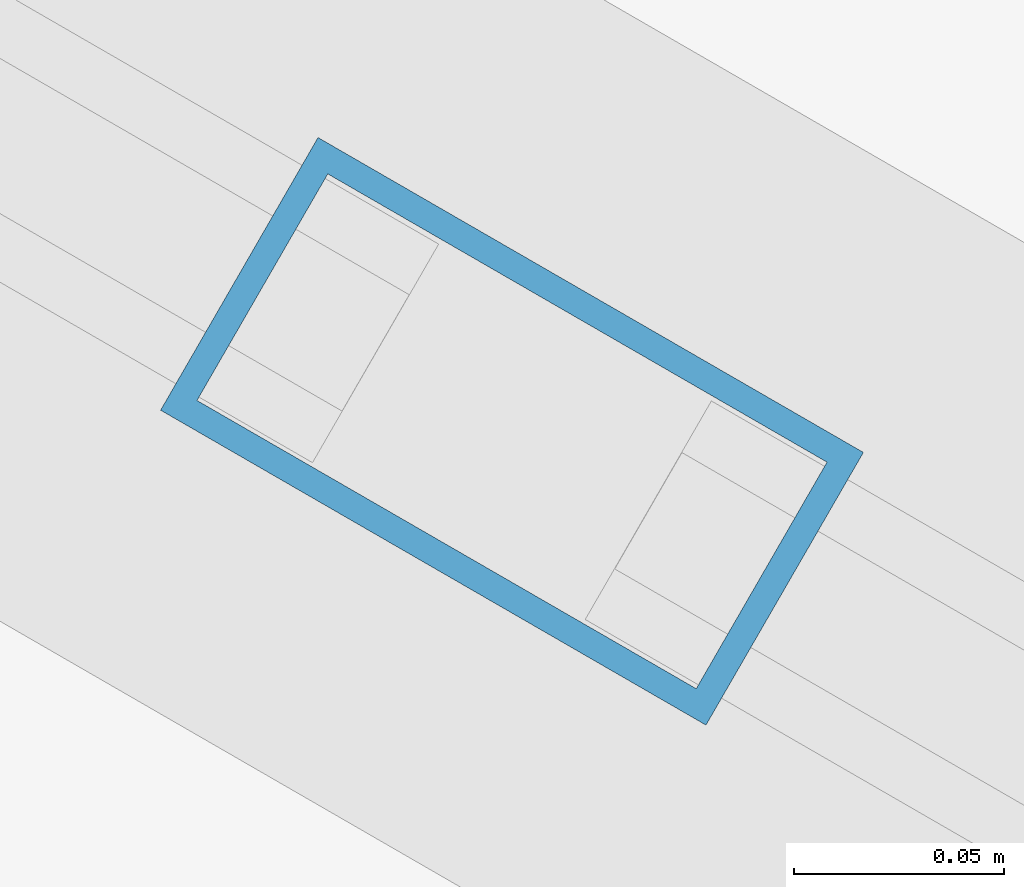
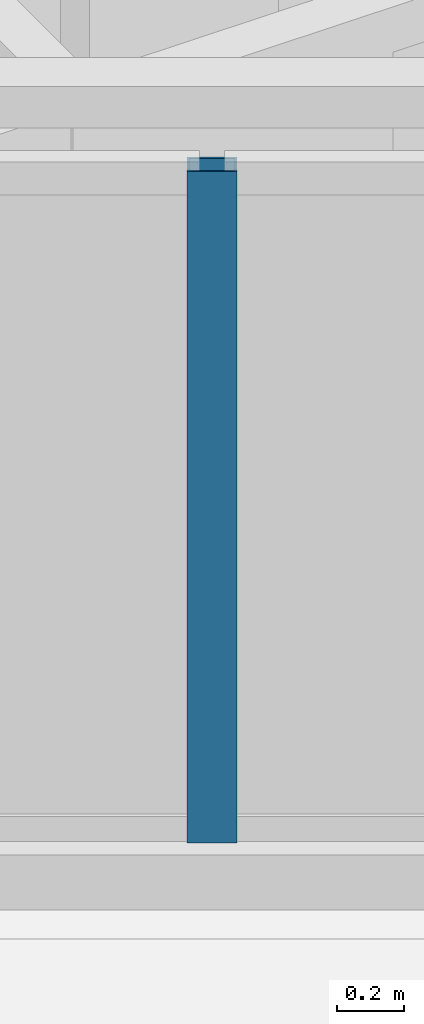
# One storey, part 2 of 18: 1 member, 1 element without a shape of its own.
"""IFC4 building model written with IfcOpenShell, lengths in metres."""

from ifc_helpers import new_model, si_unit, direction, frame, origin, origin_2d, place, context, subcontext, project, spatial, hollow_rectangle, extrude, material, layer, layer_set, material_profile, profile_set, type_object, element, aggregate, save


model = new_model("IFC4")

# Units and contexts
model_context = context("Model", 3, precision=1e-05, world=origin(), true_north=direction((0.0, 1.0)))
body_context = subcontext(model_context, "Body", "Model", "MODEL_VIEW")
ifc_project = project(units=[si_unit("LENGTHUNIT", "METRE"), si_unit("AREAUNIT", "SQUARE_METRE"), si_unit("VOLUMEUNIT", "CUBIC_METRE"), si_unit("PLANEANGLEUNIT", "RADIAN"), si_unit("MASSUNIT", "GRAM", prefix="KILO")], contexts=[model_context])

# Site, building, storey
site_placement = place(None, origin())
site = spatial("IfcSite", under=ifc_project, at=site_placement, CompositionType="ELEMENT")
building_placement = place(site_placement, origin())
building = spatial("IfcBuilding", under=site, at=building_placement, Name="Mersakhor Tower and Convention Hall", CompositionType="ELEMENT")
storey_placement = place(building_placement, frame((0.0, 0.0, 246.300048828125)))
storey = spatial("IfcBuildingStorey", under=building, at=storey_placement, Name="L69", CompositionType="ELEMENT", Elevation=246.300048828125)

# Curtain wall, member
ifc_material_1 = material(Name="Dark solar low-E aluminium curtain wall", Category="aluminium")
ifc_layer = layer(ifc_material_1, 0.179931640625)
ifc_layer_set = layer_set([ifc_layer], Name="Dark solar low-E aluminium curtain wall")
curtain_wall_type = type_object("IfcCurtainWallType", Name="CW-SYS-03", PredefinedType="USERDEFINED", material=ifc_layer_set)
curtain_wall_placement = place(storey_placement, origin())
curtain_wall = element("IfcCurtainWall", 1, at=curtain_wall_placement, inside=storey, type_object=curtain_wall_type, Name="L69 Dark-Glass Curtain Wall F3-B2", ObjectType="CURTAIN WALL", PredefinedType="USERDEFINED")
ifc_material_2 = material(Name="Anodised aluminium EN AW-6063 T6", Category="aluminium")
ifc_material_profile = material_profile(ifc_material_2, hollow_rectangle(XDim=0.074951171875, YDim=0.14990234375, WallThickness=0.00634765625, at=origin_2d()), Name="RHS 150x75x6.3")
ifc_profile_set = profile_set([ifc_material_profile], Name="Anodised aluminium EN AW-6063 T6")
member_type = type_object("IfcMemberType", Name="CWM-150x75", PredefinedType="MULLION", material=ifc_profile_set)
member_placement = place(storey_placement, frame((23.628662109375, 17.446533203125, 0.199951171875), z_axis=(0.0, 0.0, 1.0), x_axis=(-0.500004411169, -0.86602285698, 0.0)))
member = element("IfcMember", 2, at=member_placement, type_object=member_type, Name="CW-03 mullion 2", PredefinedType="MULLION", context=body_context, shape_type="SweptSolid", body=[
    extrude(hollow_rectangle(XDim=0.074951171875, YDim=0.14990234375, WallThickness=0.00634765625, at=origin_2d()), origin(), (0.0, 0.0, 1.0), 2.43994140625),
])
aggregate(curtain_wall, [member])

save(model, "model.ifc")
